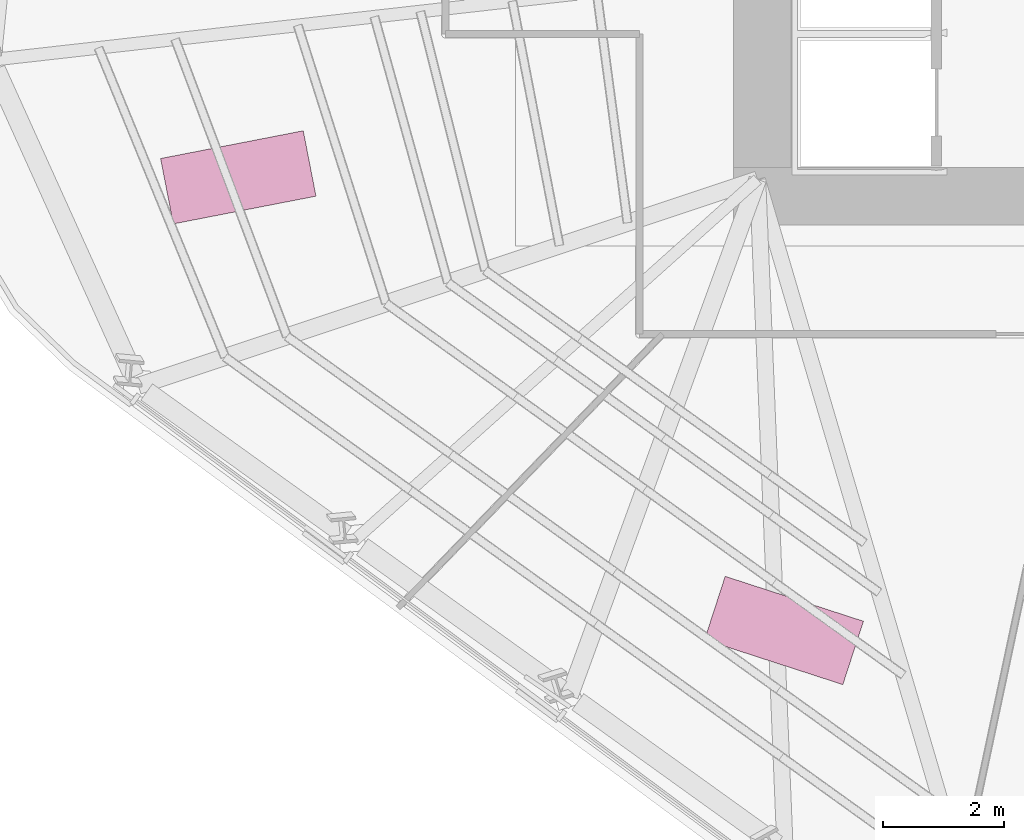
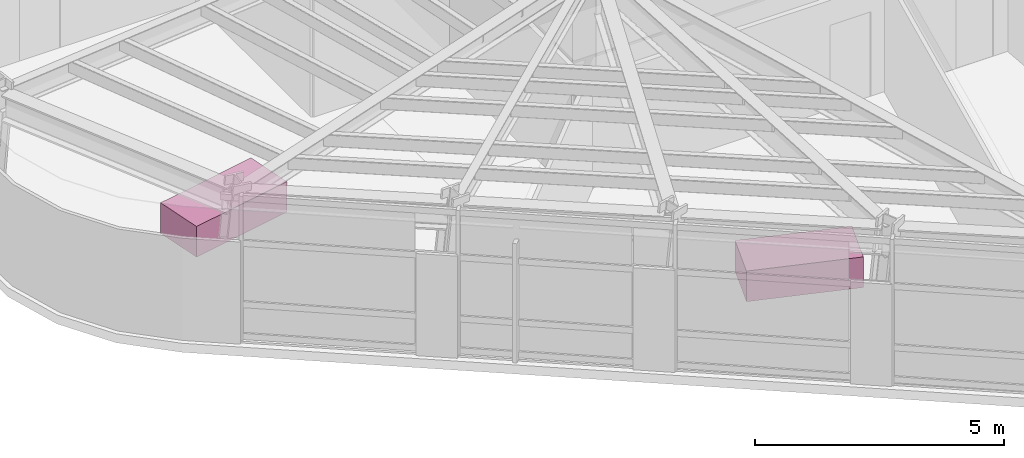
# One storey, part 16 of 16: 2 furniture elements.
"""IFC4 building model written with IfcOpenShell, lengths in metres."""

import ifcopenshell
import ifcopenshell.guid

model = None  # the IFC model being written
_history = None  # IfcOwnerHistory: only IFC2X3 demands one
_inside = {}  # id of a spatial element -> (the spatial element, [elements in it])
_under = {}  # id of a project, library or spatial element -> (it, [spatial elements below it])
_declared = {}  # id of a project -> (the project, [libraries it declares])
_typed = {}  # id of a type object -> (the type object, [elements of that type])
_made_of = {}  # id of a material, layer set ... -> (it, [elements and type objects made of it])


def new_model(schema):
    """Start an empty IFC model of exactly this schema.

    Asked for "IFC4X3", IfcOpenShell would pick the latest addendum, in which some entities
    have other attributes; the version numbers below select the first issue.
    IFC2X3 requires an IfcOwnerHistory on every rooted entity: one is made here for all.
    """
    global model, _history
    if schema == "IFC4X3":
        model = ifcopenshell.file(schema_version=(4, 3, 0, 0))
    else:
        model = ifcopenshell.file(schema=schema)
    _inside.clear()
    _under.clear()
    _declared.clear()
    _typed.clear()
    _made_of.clear()
    _history = None
    if model.schema == "IFC2X3":
        org = make("IfcOrganization", Name="unknown")
        user = make(
            "IfcPersonAndOrganization",
            ThePerson=make("IfcPerson", FamilyName="unknown"),
            TheOrganization=org,
        )
        app = make(
            "IfcApplication",
            ApplicationDeveloper=org,
            Version="unknown",
            ApplicationFullName="unknown",
            ApplicationIdentifier="unknown",
        )
        _history = make(
            "IfcOwnerHistory",
            OwningUser=user,
            OwningApplication=app,
            ChangeAction="ADDED",
            CreationDate=0,
        )
    return model


def make(cls, **values):
    """One entity of the class cls with the attributes given. An attribute that is None is left unset."""
    return model.create_entity(
        cls, **{name: value for name, value in values.items() if value is not None}
    )


def rooted(cls, **values):
    """An entity with a GlobalId (a new one), such as an element, a storey or a relation."""
    return make(cls, GlobalId=ifcopenshell.guid.new(), OwnerHistory=_history, **values)


def si_unit(unit_type, name, prefix=None):
    """IfcSIUnit, for example si_unit("LENGTHUNIT", "METRE", prefix="MILLI")."""
    return make("IfcSIUnit", UnitType=unit_type, Prefix=prefix, Name=name)


def assignment(units):
    """IfcUnitAssignment: the units of a project."""
    return None if units is None else make("IfcUnitAssignment", Units=units)


def point(xyz):
    """IfcCartesianPoint."""
    return None if xyz is None else make("IfcCartesianPoint", Coordinates=xyz)


def direction(xyz):
    """IfcDirection."""
    return None if xyz is None else make("IfcDirection", DirectionRatios=xyz)


def frame(location, z_axis=None, x_axis=None):
    """IfcAxis2Placement3D, a coordinate frame: its origin and axes. An axis left out is left unset."""
    return make(
        "IfcAxis2Placement3D",
        Location=point(location),
        Axis=direction(z_axis),
        RefDirection=direction(x_axis),
    )


def frame_2d(location, x_axis=None):
    """IfcAxis2Placement2D, a coordinate frame in the plane: its origin and x axis."""
    return make(
        "IfcAxis2Placement2D", Location=point(location), RefDirection=direction(x_axis)
    )


def origin():
    """The frame at (0, 0, 0) with its axes left unset."""
    return frame((0.0, 0.0, 0.0))


def origin_2d():
    """The frame at (0, 0) in the plane with its x axis left unset."""
    return frame_2d((0.0, 0.0))


def place(relative_to, where):
    """IfcLocalPlacement: puts the frame where relative to a parent placement (None: the world)."""
    return make(
        "IfcLocalPlacement", PlacementRelTo=relative_to, RelativePlacement=where
    )


def context(
    kind, dimensions, precision=None, world=None, true_north=None, identifier=None
):
    """IfcGeometricRepresentationContext, for example the 3D "Model" context."""
    return make(
        "IfcGeometricRepresentationContext",
        ContextIdentifier=identifier,
        ContextType=kind,
        CoordinateSpaceDimension=dimensions,
        Precision=precision,
        WorldCoordinateSystem=world,
        TrueNorth=true_north,
    )


def subcontext(parent, identifier, kind, view, scale=None):
    """IfcGeometricRepresentationSubContext, for example "Body" below "Model"."""
    return make(
        "IfcGeometricRepresentationSubContext",
        ContextIdentifier=identifier,
        ContextType=kind,
        ParentContext=parent,
        TargetScale=scale,
        TargetView=view,
    )


def project(units=None, contexts=None):
    """IfcProject with its units and contexts."""
    return rooted(
        "IfcProject",
        Name="project",
        RepresentationContexts=contexts,
        UnitsInContext=assignment(units),
    )


def spatial(cls, under=None, at=None, **own):
    """A site, building, storey or space (cls), placed at a placement, below another one or the project."""
    s = rooted(cls, ObjectPlacement=at, **own)
    if under is not None:
        _under.setdefault(under.id(), (under, []))[1].append(s)
    return s


def profile(cls, at=None, kind="AREA", **sizes):
    """A parametric profile (cls). Its sizes go by their IFC names, for example OverallWidth=200.0."""
    return make(cls, ProfileType=kind, Position=at, **sizes)


def rectangle(**sizes):
    """IfcRectangleProfileDef."""
    return profile("IfcRectangleProfileDef", **sizes)


def extrude(swept, where, along, depth):
    """IfcExtrudedAreaSolid: the profile swept, set in the frame where, extruded along a direction by depth."""
    return make(
        "IfcExtrudedAreaSolid",
        SweptArea=swept,
        Position=where,
        ExtrudedDirection=direction(along),
        Depth=depth,
    )


def shape(context_of_items, identifier, shape_type, items):
    """IfcShapeRepresentation: the items that make up one representation, for example the "Body"."""
    return make(
        "IfcShapeRepresentation",
        ContextOfItems=context_of_items,
        RepresentationIdentifier=identifier,
        RepresentationType=shape_type,
        Items=items,
    )


def material(Name=None, Category=None):
    """IfcMaterial."""
    return make("IfcMaterial", Name=Name, Category=Category)


def made_of(thing, what):
    """Note that an element or type object is made of a material, layer set ...; save() writes the relation."""
    if what is not None:
        _made_of.setdefault(what.id(), (what, []))[1].append(thing)
    return thing


def type_object(cls, material=None, **own):
    """A type object (cls), such as IfcWallType, which elements share."""
    return made_of(rooted(cls, **own), material)


def element(
    cls,
    number,
    at=None,
    inside=None,
    cuts=None,
    type_object=None,
    material=None,
    context=None,
    identifier="Body",
    shape_type=None,
    held_by="IfcProductDefinitionShape",
    body=None,
    shapes=None,
    **own,
):
    """One element of the class cls, such as IfcWall. Its Tag is "e" and its number.

    at: its placement. inside: the storey or other place that contains it. cuts: it is an
    opening in that element (IfcRelVoidsElement). A single representation is given by context,
    identifier, shape_type and body (its items); several are given by shapes. held_by: the class
    of the entity that holds the representations. save() writes the other relations.
    """
    e = rooted(cls, Tag="e%d" % number, ObjectPlacement=at, **own)
    if body is not None:
        shapes = [shape(context, identifier, shape_type, body)]
    if shapes is not None:
        e.Representation = make(held_by, Representations=shapes)
    if inside is not None:
        _inside.setdefault(inside.id(), (inside, []))[1].append(e)
    if cuts is not None:
        rooted(
            "IfcRelVoidsElement", RelatingBuildingElement=cuts, RelatedOpeningElement=e
        )
    if type_object is not None:
        _typed.setdefault(type_object.id(), (type_object, []))[1].append(e)
    return made_of(e, material)


def aggregate(whole, parts):
    """IfcRelAggregates: a whole, such as a stair, and the parts it consists of."""
    return rooted("IfcRelAggregates", RelatingObject=whole, RelatedObjects=parts)


def save(model, path):
    """Write the relations noted so far, then the file.

    IfcRelAggregates (storeys below a building ...), IfcRelContainedInSpatialStructure (elements
    in a storey), IfcRelDefinesByType, IfcRelAssociatesMaterial and IfcRelDeclares: one each for
    every whole, place, type object, material and project.
    """
    for whole, parts in _under.values():
        aggregate(whole, parts)
    for where, things in _inside.values():
        rooted(
            "IfcRelContainedInSpatialStructure",
            RelatedElements=things,
            RelatingStructure=where,
        )
    for kind, things in _typed.values():
        rooted("IfcRelDefinesByType", RelatedObjects=things, RelatingType=kind)
    for what, things in _made_of.values():
        rooted("IfcRelAssociatesMaterial", RelatedObjects=things, RelatingMaterial=what)
    for by, libraries in _declared.values():
        rooted("IfcRelDeclares", RelatingContext=by, RelatedDefinitions=libraries)
    model.write(path)


model = new_model("IFC4")

# Units and contexts
model_context = context("Model", 3, precision=1e-05, world=origin(), true_north=direction((0.0, 1.0)))
body_context = subcontext(model_context, "Body", "Model", "MODEL_VIEW")
ifc_project = project(units=[si_unit("LENGTHUNIT", "METRE"), si_unit("AREAUNIT", "SQUARE_METRE"), si_unit("VOLUMEUNIT", "CUBIC_METRE"), si_unit("PLANEANGLEUNIT", "RADIAN"), si_unit("MASSUNIT", "GRAM", prefix="KILO")], contexts=[model_context])

# Site, building, storey
site_placement = place(None, origin())
site = spatial("IfcSite", under=ifc_project, at=site_placement, CompositionType="ELEMENT")
building_placement = place(site_placement, origin())
building = spatial("IfcBuilding", under=site, at=building_placement, Name="Valkerne Bourse Tower", CompositionType="ELEMENT")
storey_placement = place(building_placement, frame((0.0, 0.0, 123.800048828125)))
storey = spatial("IfcBuildingStorey", under=building, at=storey_placement, Name="L31", CompositionType="ELEMENT", Elevation=123.800048828125)

# Furniture
ifc_material = material(Name="Architectural White Oak Timber", Category="wood")
furniture_type = type_object("IfcFurnitureType", Name="FURN-DESK-2400", AssemblyPlace="NOTDEFINED", PredefinedType="DESK", material=ifc_material)
for number, where, z_axis, x_axis, name in (
    (1, (38.035888671875, 10.952880859375, 0.044921875), (0.0, 0.0, 1.0), (-0.951056516295, 0.309016994375, 0.0), "L31 Suite Worktable 05"),
    (2, (29.02587890625, 18.43408203125, 0.044921875), (0.0, 0.0, 1.0), (0.981627183448, 0.190808995377, 0.0), "L31 Suite Worktable 06"),
):
    element("IfcFurniture", number, at=place(storey_placement, frame(where, z_axis=z_axis, x_axis=x_axis)), inside=storey, type_object=furniture_type, Name=name, PredefinedType="DESK", context=body_context, shape_type="SweptSolid", body=[
        extrude(rectangle(XDim=2.39990234375, YDim=1.10009765625, at=origin_2d()), origin(), (0.0, 0.0, 1.0), 0.75),
    ])

save(model, "model.ifc")
